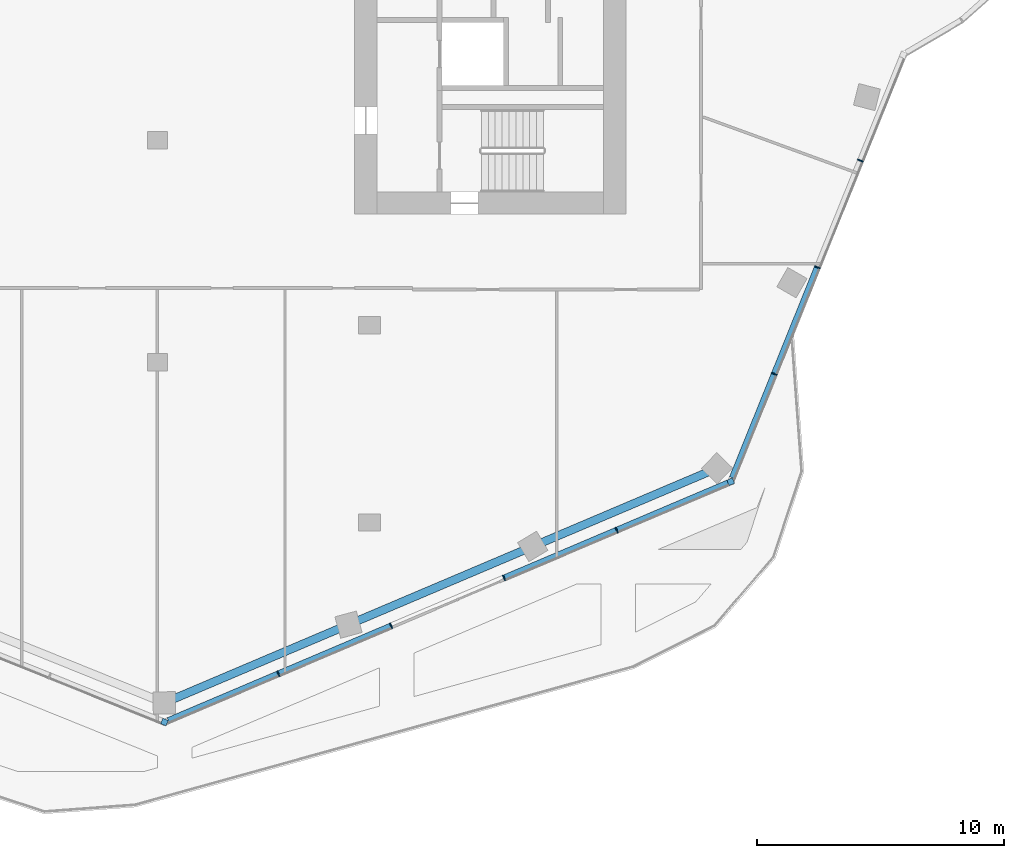
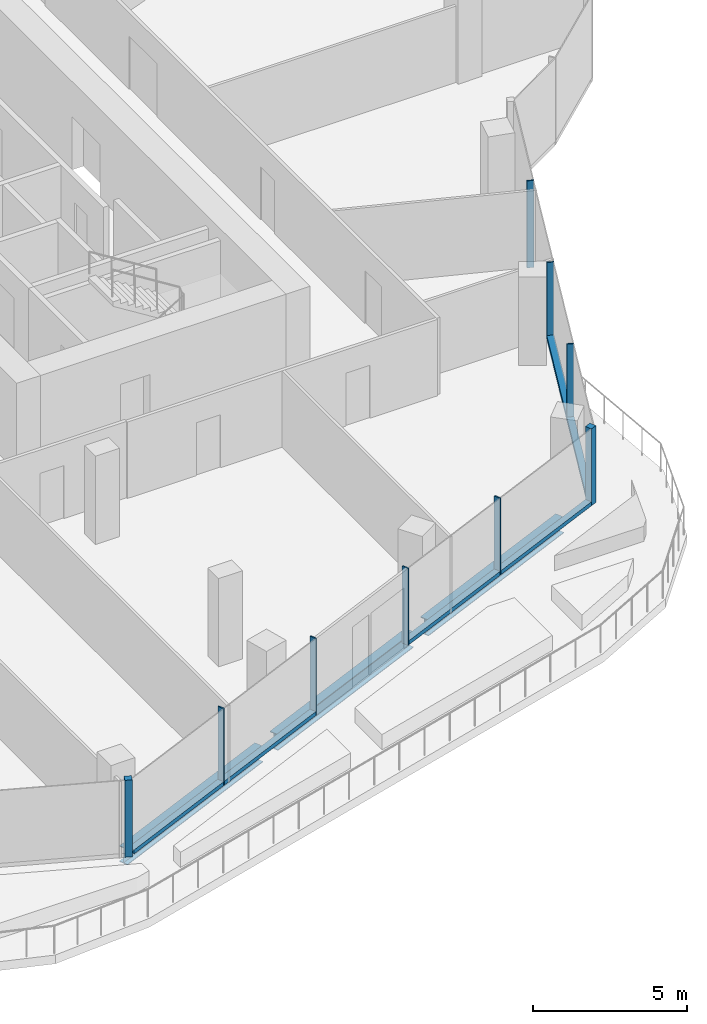
# One storey, part 4 of 17: 12 members, 3 beams, 3 elements without a shape of their own.
"""IFC4 building model written with IfcOpenShell, lengths in metres."""

import ifcopenshell
import ifcopenshell.guid

model = None  # the IFC model being written
_history = None  # IfcOwnerHistory: only IFC2X3 demands one
_inside = {}  # id of a spatial element -> (the spatial element, [elements in it])
_under = {}  # id of a project, library or spatial element -> (it, [spatial elements below it])
_declared = {}  # id of a project -> (the project, [libraries it declares])
_typed = {}  # id of a type object -> (the type object, [elements of that type])
_made_of = {}  # id of a material, layer set ... -> (it, [elements and type objects made of it])


def new_model(schema):
    """Start an empty IFC model of exactly this schema.

    Asked for "IFC4X3", IfcOpenShell would pick the latest addendum, in which some entities
    have other attributes; the version numbers below select the first issue.
    IFC2X3 requires an IfcOwnerHistory on every rooted entity: one is made here for all.
    """
    global model, _history
    if schema == "IFC4X3":
        model = ifcopenshell.file(schema_version=(4, 3, 0, 0))
    else:
        model = ifcopenshell.file(schema=schema)
    _inside.clear()
    _under.clear()
    _declared.clear()
    _typed.clear()
    _made_of.clear()
    _history = None
    if model.schema == "IFC2X3":
        org = make("IfcOrganization", Name="unknown")
        user = make(
            "IfcPersonAndOrganization",
            ThePerson=make("IfcPerson", FamilyName="unknown"),
            TheOrganization=org,
        )
        app = make(
            "IfcApplication",
            ApplicationDeveloper=org,
            Version="unknown",
            ApplicationFullName="unknown",
            ApplicationIdentifier="unknown",
        )
        _history = make(
            "IfcOwnerHistory",
            OwningUser=user,
            OwningApplication=app,
            ChangeAction="ADDED",
            CreationDate=0,
        )
    return model


def make(cls, **values):
    """One entity of the class cls with the attributes given. An attribute that is None is left unset."""
    return model.create_entity(
        cls, **{name: value for name, value in values.items() if value is not None}
    )


def rooted(cls, **values):
    """An entity with a GlobalId (a new one), such as an element, a storey or a relation."""
    return make(cls, GlobalId=ifcopenshell.guid.new(), OwnerHistory=_history, **values)


def si_unit(unit_type, name, prefix=None):
    """IfcSIUnit, for example si_unit("LENGTHUNIT", "METRE", prefix="MILLI")."""
    return make("IfcSIUnit", UnitType=unit_type, Prefix=prefix, Name=name)


def assignment(units):
    """IfcUnitAssignment: the units of a project."""
    return None if units is None else make("IfcUnitAssignment", Units=units)


def point(xyz):
    """IfcCartesianPoint."""
    return None if xyz is None else make("IfcCartesianPoint", Coordinates=xyz)


def direction(xyz):
    """IfcDirection."""
    return None if xyz is None else make("IfcDirection", DirectionRatios=xyz)


def frame(location, z_axis=None, x_axis=None):
    """IfcAxis2Placement3D, a coordinate frame: its origin and axes. An axis left out is left unset."""
    return make(
        "IfcAxis2Placement3D",
        Location=point(location),
        Axis=direction(z_axis),
        RefDirection=direction(x_axis),
    )


def frame_2d(location, x_axis=None):
    """IfcAxis2Placement2D, a coordinate frame in the plane: its origin and x axis."""
    return make(
        "IfcAxis2Placement2D", Location=point(location), RefDirection=direction(x_axis)
    )


def origin():
    """The frame at (0, 0, 0) with its axes left unset."""
    return frame((0.0, 0.0, 0.0))


def origin_2d():
    """The frame at (0, 0) in the plane with its x axis left unset."""
    return frame_2d((0.0, 0.0))


def place(relative_to, where):
    """IfcLocalPlacement: puts the frame where relative to a parent placement (None: the world)."""
    return make(
        "IfcLocalPlacement", PlacementRelTo=relative_to, RelativePlacement=where
    )


def context(
    kind, dimensions, precision=None, world=None, true_north=None, identifier=None
):
    """IfcGeometricRepresentationContext, for example the 3D "Model" context."""
    return make(
        "IfcGeometricRepresentationContext",
        ContextIdentifier=identifier,
        ContextType=kind,
        CoordinateSpaceDimension=dimensions,
        Precision=precision,
        WorldCoordinateSystem=world,
        TrueNorth=true_north,
    )


def subcontext(parent, identifier, kind, view, scale=None):
    """IfcGeometricRepresentationSubContext, for example "Body" below "Model"."""
    return make(
        "IfcGeometricRepresentationSubContext",
        ContextIdentifier=identifier,
        ContextType=kind,
        ParentContext=parent,
        TargetScale=scale,
        TargetView=view,
    )


def project(units=None, contexts=None):
    """IfcProject with its units and contexts."""
    return rooted(
        "IfcProject",
        Name="project",
        RepresentationContexts=contexts,
        UnitsInContext=assignment(units),
    )


def spatial(cls, under=None, at=None, **own):
    """A site, building, storey or space (cls), placed at a placement, below another one or the project."""
    s = rooted(cls, ObjectPlacement=at, **own)
    if under is not None:
        _under.setdefault(under.id(), (under, []))[1].append(s)
    return s


def profile(cls, at=None, kind="AREA", **sizes):
    """A parametric profile (cls). Its sizes go by their IFC names, for example OverallWidth=200.0."""
    return make(cls, ProfileType=kind, Position=at, **sizes)


def rectangle(**sizes):
    """IfcRectangleProfileDef."""
    return profile("IfcRectangleProfileDef", **sizes)


def i_section(**sizes):
    """IfcIShapeProfileDef."""
    return profile("IfcIShapeProfileDef", **sizes)


def extrude(swept, where, along, depth):
    """IfcExtrudedAreaSolid: the profile swept, set in the frame where, extruded along a direction by depth."""
    return make(
        "IfcExtrudedAreaSolid",
        SweptArea=swept,
        Position=where,
        ExtrudedDirection=direction(along),
        Depth=depth,
    )


def shape(context_of_items, identifier, shape_type, items):
    """IfcShapeRepresentation: the items that make up one representation, for example the "Body"."""
    return make(
        "IfcShapeRepresentation",
        ContextOfItems=context_of_items,
        RepresentationIdentifier=identifier,
        RepresentationType=shape_type,
        Items=items,
    )


def material(Name=None, Category=None):
    """IfcMaterial."""
    return make("IfcMaterial", Name=Name, Category=Category)


def material_profile(
    of_material, cross_section, Name=None, Category=None, Priority=None
):
    """IfcMaterialProfile: a cross section and its material."""
    return make(
        "IfcMaterialProfile",
        Name=Name,
        Material=of_material,
        Profile=cross_section,
        Priority=Priority,
        Category=Category,
    )


def profile_set(profiles, Name=None, composite=None):
    """IfcMaterialProfileSet."""
    return make(
        "IfcMaterialProfileSet",
        Name=Name,
        MaterialProfiles=profiles,
        CompositeProfile=composite,
    )


def made_of(thing, what):
    """Note that an element or type object is made of a material, layer set ...; save() writes the relation."""
    if what is not None:
        _made_of.setdefault(what.id(), (what, []))[1].append(thing)
    return thing


def type_object(cls, material=None, **own):
    """A type object (cls), such as IfcWallType, which elements share."""
    return made_of(rooted(cls, **own), material)


def element(
    cls,
    number,
    at=None,
    inside=None,
    cuts=None,
    type_object=None,
    material=None,
    context=None,
    identifier="Body",
    shape_type=None,
    held_by="IfcProductDefinitionShape",
    body=None,
    shapes=None,
    **own,
):
    """One element of the class cls, such as IfcWall. Its Tag is "e" and its number.

    at: its placement. inside: the storey or other place that contains it. cuts: it is an
    opening in that element (IfcRelVoidsElement). A single representation is given by context,
    identifier, shape_type and body (its items); several are given by shapes. held_by: the class
    of the entity that holds the representations. save() writes the other relations.
    """
    e = rooted(cls, Tag="e%d" % number, ObjectPlacement=at, **own)
    if body is not None:
        shapes = [shape(context, identifier, shape_type, body)]
    if shapes is not None:
        e.Representation = make(held_by, Representations=shapes)
    if inside is not None:
        _inside.setdefault(inside.id(), (inside, []))[1].append(e)
    if cuts is not None:
        rooted(
            "IfcRelVoidsElement", RelatingBuildingElement=cuts, RelatedOpeningElement=e
        )
    if type_object is not None:
        _typed.setdefault(type_object.id(), (type_object, []))[1].append(e)
    return made_of(e, material)


def aggregate(whole, parts):
    """IfcRelAggregates: a whole, such as a stair, and the parts it consists of."""
    return rooted("IfcRelAggregates", RelatingObject=whole, RelatedObjects=parts)


def save(model, path):
    """Write the relations noted so far, then the file.

    IfcRelAggregates (storeys below a building ...), IfcRelContainedInSpatialStructure (elements
    in a storey), IfcRelDefinesByType, IfcRelAssociatesMaterial and IfcRelDeclares: one each for
    every whole, place, type object, material and project.
    """
    for whole, parts in _under.values():
        aggregate(whole, parts)
    for where, things in _inside.values():
        rooted(
            "IfcRelContainedInSpatialStructure",
            RelatedElements=things,
            RelatingStructure=where,
        )
    for kind, things in _typed.values():
        rooted("IfcRelDefinesByType", RelatedObjects=things, RelatingType=kind)
    for what, things in _made_of.values():
        rooted("IfcRelAssociatesMaterial", RelatedObjects=things, RelatingMaterial=what)
    for by, libraries in _declared.values():
        rooted("IfcRelDeclares", RelatingContext=by, RelatedDefinitions=libraries)
    model.write(path)


model = new_model("IFC4")

# Units and contexts
model_context = context("Model", 3, precision=1e-05, world=origin(), true_north=direction((0.0, 1.0)))
body_context = subcontext(model_context, "Body", "Model", "MODEL_VIEW")
ifc_project = project(units=[si_unit("LENGTHUNIT", "METRE"), si_unit("AREAUNIT", "SQUARE_METRE"), si_unit("VOLUMEUNIT", "CUBIC_METRE"), si_unit("PLANEANGLEUNIT", "RADIAN"), si_unit("MASSUNIT", "GRAM", prefix="KILO")], contexts=[model_context])

# Site, building, storey
site_placement = place(None, origin())
site = spatial("IfcSite", under=ifc_project, at=site_placement, CompositionType="ELEMENT")
building_placement = place(site_placement, origin())
building = spatial("IfcBuilding", under=site, at=building_placement, Name="Orlundy Tower", CompositionType="ELEMENT")
storey_placement = place(building_placement, frame((0.0, 0.0, 296.39990234375)))
storey = spatial("IfcBuildingStorey", under=building, at=storey_placement, Name="L79", CompositionType="ELEMENT", Elevation=296.39990234375)

# Curtain wall, member
ifc_material_1 = material(Name="Aluminium bronze anodised", Category="aluminium")
curtain_wall_type = type_object("IfcCurtainWallType", Name="CW6 wall", PredefinedType="NOTDEFINED", material=ifc_material_1)
curtain_wall_1_placement = place(storey_placement, origin())
curtain_wall_1 = element("IfcCurtainWall", 1, at=curtain_wall_1_placement, inside=storey, type_object=curtain_wall_type, Name="CW6 run 02", PredefinedType="NOTDEFINED")
ifc_material_2 = material(Name="Aluminium bronze anodised", Category="aluminium")
ifc_material_profile_1 = material_profile(ifc_material_2, rectangle(XDim=0.239990234375, YDim=0.239990234375, at=origin_2d()), Name="CW6 corner post 240x240")
ifc_profile_set_1 = profile_set([ifc_material_profile_1], Name="Aluminium bronze anodised")
member_type_1 = type_object("IfcMemberType", Name="CW6 corner post 240x240", PredefinedType="MULLION", material=ifc_profile_set_1)
member_1_placement = place(storey_placement, frame((23.253662109375, -22.85107421875, 0.0), z_axis=(0.0, 0.0, 1.0), x_axis=(0.390726531244, -0.920506804854, 0.0)))
member_1 = element("IfcMember", 2, at=member_1_placement, type_object=member_type_1, Name="CW6 mullion 6", PredefinedType="MULLION", context=body_context, shape_type="SweptSolid", body=[
    extrude(rectangle(XDim=0.239990234375, YDim=0.239990234375, at=origin_2d()), origin(), (0.0, 0.0, 1.0), 3.050048828125),
])

curtain_wall_2_placement = place(storey_placement, origin())
curtain_wall_2 = element("IfcCurtainWall", 3, at=curtain_wall_2_placement, inside=storey, type_object=curtain_wall_type, Name="CW6 run 03", PredefinedType="NOTDEFINED")
member_2_placement = place(storey_placement, frame((0.2841796875, -32.600830078125, 0.0), z_axis=(0.0, 0.0, 1.0), x_axis=(-0.374607412456, -0.927183523653, 0.0)))
member_2 = element("IfcMember", 4, at=member_2_placement, type_object=member_type_1, Name="CW6 mullion 11", PredefinedType="MULLION", context=body_context, shape_type="SweptSolid", body=[
    extrude(rectangle(XDim=0.239990234375, YDim=0.239990234375, at=origin_2d()), origin(), (0.0, 0.0, 1.0), 3.050048828125),
])
aggregate(curtain_wall_2, [member_2])

# Curtain wall, members
curtain_wall_3_placement = place(storey_placement, origin())
curtain_wall_3 = element("IfcCurtainWall", 5, at=curtain_wall_3_placement, inside=storey, type_object=curtain_wall_type, Name="CW6 run 01", PredefinedType="NOTDEFINED")
ifc_material_3 = material(Name="Aluminium bronze anodised", Category="aluminium")
ifc_material_profile_2 = material_profile(ifc_material_3, rectangle(XDim=0.239990234375, YDim=0.050048828125, at=origin_2d()), Name="CW6 mullion 50x240")
ifc_profile_set_2 = profile_set([ifc_material_profile_2], Name="Aluminium bronze anodised")
member_type_2 = type_object("IfcMemberType", Name="CW6 mullion 50x240", PredefinedType="MULLION", material=ifc_profile_set_2)
member_3_placement = place(storey_placement, frame((28.51708984375, -9.822509765625, -0.39990234375), z_axis=(0.0, 0.0, 1.0), x_axis=(0.927196764911, -0.374574637608, 0.0)))
member_3 = element("IfcMember", 6, at=member_3_placement, type_object=member_type_2, Name="CW6 mullion 3", PredefinedType="MULLION", context=body_context, shape_type="SweptSolid", body=[
    extrude(rectangle(XDim=0.239990234375, YDim=0.050048828125, at=origin_2d()), origin(), (0.0, 0.0, 1.0), 3.449951171875),
])
member_4_placement = place(storey_placement, frame((26.768798828125, -14.14990234375, 0.0), z_axis=(0.0, 0.0, 1.0), x_axis=(0.927196764911, -0.374574637608, 0.0)))
member_4 = element("IfcMember", 7, at=member_4_placement, type_object=member_type_2, Name="CW6 mullion 4", PredefinedType="MULLION", context=body_context, shape_type="SweptSolid", body=[
    extrude(rectangle(XDim=0.239990234375, YDim=0.050048828125, at=origin_2d()), origin(), (0.0, 0.0, 1.0), 3.050048828125),
])
member_5_placement = place(storey_placement, frame((25.0205078125, -18.4775390625, 0.0), z_axis=(0.0, 0.0, 1.0), x_axis=(0.927196764911, -0.374574637608, 0.0)))
member_5 = element("IfcMember", 8, at=member_5_placement, type_object=member_type_2, Name="CW6 mullion 5", PredefinedType="MULLION", context=body_context, shape_type="SweptSolid", body=[
    extrude(rectangle(XDim=0.239990234375, YDim=0.050048828125, at=origin_2d()), origin(), (0.0, 0.0, 1.0), 3.050048828125),
])

# Member
member_6_placement = place(storey_placement, frame((18.63232421875, -24.812744140625, 0.0), z_axis=(0.0, 0.0, 1.0), x_axis=(0.390726531244, -0.920506804854, 0.0)))
member_6 = element("IfcMember", 9, at=member_6_placement, type_object=member_type_2, Name="CW6 mullion 7", PredefinedType="MULLION", context=body_context, shape_type="SweptSolid", body=[
    extrude(rectangle(XDim=0.239990234375, YDim=0.050048828125, at=origin_2d()), origin(), (0.0, 0.0, 1.0), 3.050048828125),
])

member_7_placement = place(storey_placement, frame((14.056640625, -26.7548828125, 0.0), z_axis=(0.0, 0.0, 1.0), x_axis=(0.390726531244, -0.920506804854, 0.0)))
member_7 = element("IfcMember", 10, at=member_7_placement, type_object=member_type_2, Name="CW6 mullion 8", PredefinedType="MULLION", context=body_context, shape_type="SweptSolid", body=[
    extrude(rectangle(XDim=0.239990234375, YDim=0.050048828125, at=origin_2d()), origin(), (0.0, 0.0, 1.0), 3.050048828125),
])

member_8_placement = place(storey_placement, frame((9.481201171875, -28.697021484375, 0.0), z_axis=(0.0, 0.0, 1.0), x_axis=(0.390726531244, -0.920506804854, 0.0)))
member_8 = element("IfcMember", 11, at=member_8_placement, type_object=member_type_2, Name="CW6 mullion 9", PredefinedType="MULLION", context=body_context, shape_type="SweptSolid", body=[
    extrude(rectangle(XDim=0.239990234375, YDim=0.050048828125, at=origin_2d()), origin(), (0.0, 0.0, 1.0), 3.050048828125),
])

member_9_placement = place(storey_placement, frame((4.905517578125, -30.63916015625, 0.0), z_axis=(0.0, 0.0, 1.0), x_axis=(0.390726531244, -0.920506804854, 0.0)))
member_9 = element("IfcMember", 12, at=member_9_placement, type_object=member_type_2, Name="CW6 mullion 10", PredefinedType="MULLION", context=body_context, shape_type="SweptSolid", body=[
    extrude(rectangle(XDim=0.239990234375, YDim=0.050048828125, at=origin_2d()), origin(), (0.0, 0.0, 1.0), 3.050048828125),
])

ifc_material_4 = material(Name="Aluminium bronze anodised", Category="aluminium")
ifc_material_profile_3 = material_profile(ifc_material_4, rectangle(XDim=0.239990234375, YDim=0.159912109375, at=origin_2d()), Name="CW6 transom 240x160")
ifc_profile_set_3 = profile_set([ifc_material_profile_3], Name="Aluminium bronze anodised")
member_type_3 = type_object("IfcMemberType", Name="CW6 transom 240x160", PredefinedType="USERDEFINED", material=ifc_profile_set_3)
member_10_placement = place(storey_placement, frame((26.75927734375, -14.173095703125, 0.080078125), z_axis=(-0.374571985508, -0.927197836318, 0.0), x_axis=(0.927197836318, -0.374571985508, 0.0)))
member_10 = element("IfcMember", 13, at=member_10_placement, type_object=member_type_3, Name="CW6 transom", ObjectType="TRANSOM", PredefinedType="USERDEFINED", context=body_context, shape_type="SweptSolid", body=[
    extrude(rectangle(XDim=0.239990234375, YDim=0.159912109375, at=origin_2d()), origin(), (0.0, 0.0, 1.0), 9.189453125),
])

aggregate(curtain_wall_3, [member_3, member_4, member_5, member_10])

member_11_placement = place(storey_placement, frame((23.14306640625, -22.89794921875, 0.080078125), z_axis=(-0.92050666452, -0.390726861855, 0.0), x_axis=(0.390726861855, -0.92050666452, 0.0)))
member_11 = element("IfcMember", 14, at=member_11_placement, type_object=member_type_3, Name="CW6 transom", ObjectType="TRANSOM", PredefinedType="USERDEFINED", context=body_context, shape_type="SweptSolid", body=[
    extrude(rectangle(XDim=0.239990234375, YDim=0.159912109375, at=origin_2d()), origin(), (0.0, 0.0, 1.0), 9.84619140625),
])

member_12_placement = place(storey_placement, frame((9.4580078125, -28.706787109375, 0.080078125), z_axis=(-0.920499491501, -0.390743760214, 0.0), x_axis=(0.390743760214, -0.920499491501, 0.0)))
member_12 = element("IfcMember", 15, at=member_12_placement, type_object=member_type_3, Name="CW6 transom", ObjectType="TRANSOM", PredefinedType="USERDEFINED", context=body_context, shape_type="SweptSolid", body=[
    extrude(rectangle(XDim=0.239990234375, YDim=0.159912109375, at=origin_2d()), origin(), (0.0, 0.0, 1.0), 9.79638671875),
])

aggregate(curtain_wall_1, [member_1, member_6, member_7, member_8, member_9, member_11, member_12])

# Beams
ifc_material_5 = material(Name="Steel ASTM A992 Gr 50", Category="steel")
ifc_material_profile_4 = material_profile(ifc_material_5, i_section(OverallWidth=0.3291015625, OverallDepth=0.635009765625, WebThickness=0.017822265625, FlangeThickness=0.031005859375, at=origin_2d()), Name="W24X162")
ifc_profile_set_4 = profile_set([ifc_material_profile_4], Name="Steel ASTM A992 Gr 50")
beam_type = type_object("IfcBeamType", Name="TERRACE EDGE BEAM beam W24X162", PredefinedType="BEAM", material=ifc_profile_set_4)
for number, where, z_axis, x_axis, name in (
    (16, (0.65087890625, -31.662841796875, -0.71728515625), (0.920497687036, 0.390748011078, 0.0), (-0.390748011078, 0.920497687036, 0.0), "Terrace edge beam L79-1-03"),
    (17, (8.123779296875, -28.49072265625, -0.71728515625), (0.920514801884, 0.390707690624, 0.0), (-0.390707690624, 0.920514801884, 0.0), "Terrace edge beam L79-1-04"),
):
    element("IfcBeam", number, at=place(storey_placement, frame(where, z_axis=z_axis, x_axis=x_axis)), inside=storey, type_object=beam_type, Name=name, PredefinedType="BEAM", context=body_context, shape_type="SweptSolid", body=[
        extrude(i_section(OverallWidth=0.3291015625, OverallDepth=0.635009765625, WebThickness=0.017822265625, FlangeThickness=0.031005859375, at=origin_2d()), origin(), (0.0, 0.0, 1.0), 7.308349609375),
    ])
beam_placement = place(storey_placement, frame((15.5966796875, -25.31884765625, -0.71728515625), z_axis=(0.920502787337, 0.390735995917, 0.0), x_axis=(-0.390735995917, 0.920502787337, 0.0)))
element("IfcBeam", 18, at=beam_placement, inside=storey, type_object=beam_type, Name="Terrace edge beam L79-1-05", PredefinedType="BEAM", context=body_context, shape_type="SweptSolid", body=[
    extrude(i_section(OverallWidth=0.3291015625, OverallDepth=0.635009765625, WebThickness=0.017822265625, FlangeThickness=0.031005859375, at=origin_2d()), origin(), (0.0, 0.0, 1.0), 7.30859375),
])

save(model, "model.ifc")
